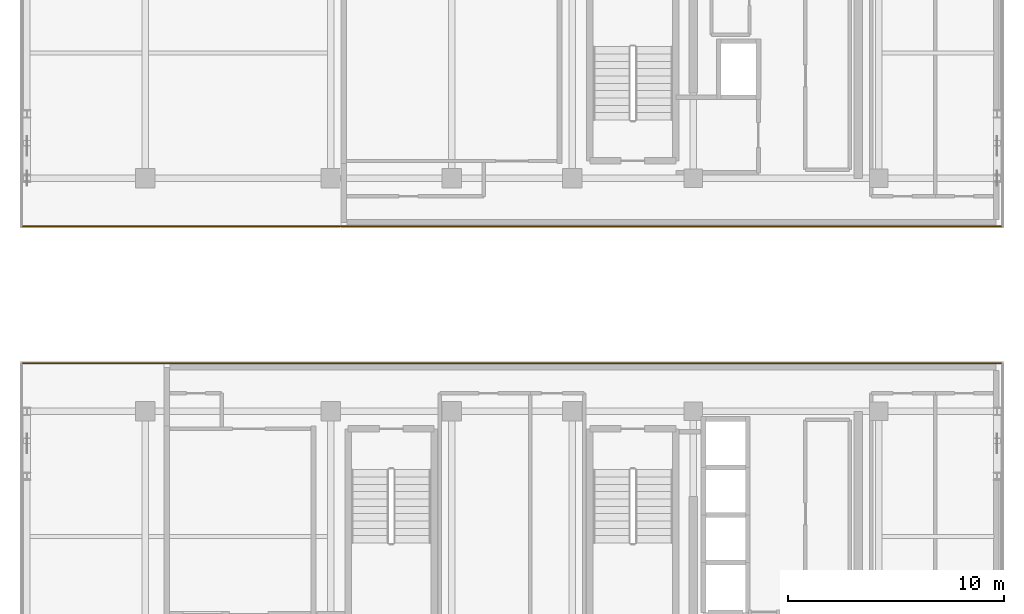
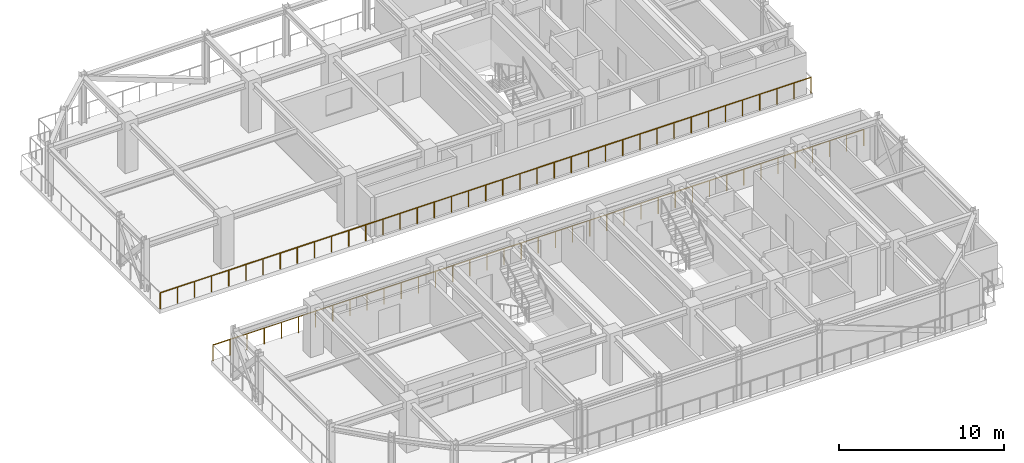
# One storey, part 11 of 14: 2 railings.
"""IFC4 building model written with IfcOpenShell, lengths in metres."""

from ifc_helpers import new_model, si_unit, direction, frame, origin, origin_2d, place, context, subcontext, project, spatial, circle, extrude, material, type_object, element, save


model = new_model("IFC4")

# Units and contexts
model_context = context("Model", 3, precision=1e-05, world=origin(), true_north=direction((0.0, 1.0)))
body_context = subcontext(model_context, "Body", "Model", "MODEL_VIEW")
ifc_project = project(units=[si_unit("LENGTHUNIT", "METRE"), si_unit("AREAUNIT", "SQUARE_METRE"), si_unit("VOLUMEUNIT", "CUBIC_METRE"), si_unit("PLANEANGLEUNIT", "RADIAN"), si_unit("MASSUNIT", "GRAM", prefix="KILO")], contexts=[model_context])

# Site, building, storey
site_placement = place(None, origin())
site = spatial("IfcSite", under=ifc_project, at=site_placement, CompositionType="ELEMENT")
building_placement = place(site_placement, origin())
building = spatial("IfcBuilding", under=site, at=building_placement, Name="Nahalor Promenade Grand Hotel", CompositionType="ELEMENT")
storey_placement = place(building_placement, frame((0.0, 0.0, 296.5)))
storey = spatial("IfcBuildingStorey", under=building, at=storey_placement, Name="L76", CompositionType="ELEMENT", Elevation=296.5)

# Railings
ifc_material = material(Name="Anodised Bronze Aluminium EN AW-6063 T6", Category="aluminium")
railing_type = type_object("IfcRailingType", Name="Bronze Balcony Guardrail 1200 mm", PredefinedType="GUARDRAIL", material=ifc_material)
railing_1_placement = place(storey_placement, frame((22.719970703125, -3.179931640625, 0.0)))
element("IfcRailing", 1, at=railing_1_placement, inside=storey, type_object=railing_type, Name="L76 Edge Guardrail RL-L76-WP-S-7", PredefinedType="GUARDRAIL", context=body_context, shape_type="SweptSolid", body=[
    extrude(circle(Radius=0.024048, at=origin_2d()), frame((0.0, 0.0, 1.17578125), z_axis=(-1.0, 0.0, 0.0), x_axis=(0.0, -1.0, 0.0)), (0.0, 0.0, 1.0), 45.43994140625),
    extrude(circle(Radius=0.020996, at=origin_2d()), origin(), (0.0, 0.0, 1.0), 1.14990234375),
    extrude(circle(Radius=0.020996, at=origin_2d()), frame((-1.19580078125, 0.0, 0.0)), (0.0, 0.0, 1.0), 1.14990234375),
    extrude(circle(Radius=0.020996, at=origin_2d()), frame((-2.3916015625, 0.0, 0.0)), (0.0, 0.0, 1.0), 1.14990234375),
    extrude(circle(Radius=0.020996, at=origin_2d()), frame((-3.58740234375, 0.0, 0.0)), (0.0, 0.0, 1.0), 1.14990234375),
    extrude(circle(Radius=0.020996, at=origin_2d()), frame((-4.783203125, 0.0, 0.0)), (0.0, 0.0, 1.0), 1.14990234375),
    extrude(circle(Radius=0.020996, at=origin_2d()), frame((-5.97900390625, 0.0, 0.0)), (0.0, 0.0, 1.0), 1.14990234375),
    extrude(circle(Radius=0.020996, at=origin_2d()), frame((-7.1748046875, 0.0, 0.0)), (0.0, 0.0, 1.0), 1.14990234375),
    extrude(circle(Radius=0.020996, at=origin_2d()), frame((-8.37060546875, 0.0, 0.0)), (0.0, 0.0, 1.0), 1.14990234375),
    extrude(circle(Radius=0.020996, at=origin_2d()), frame((-9.56640625, 0.0, 0.0)), (0.0, 0.0, 1.0), 1.14990234375),
    extrude(circle(Radius=0.020996, at=origin_2d()), frame((-10.76220703125, 0.0, 0.0)), (0.0, 0.0, 1.0), 1.14990234375),
    extrude(circle(Radius=0.020996, at=origin_2d()), frame((-11.957763671875, 0.0, 0.0)), (0.0, 0.0, 1.0), 1.14990234375),
    extrude(circle(Radius=0.020996, at=origin_2d()), frame((-13.153564453125, 0.0, 0.0)), (0.0, 0.0, 1.0), 1.14990234375),
    extrude(circle(Radius=0.020996, at=origin_2d()), frame((-14.349365234375, 0.0, 0.0)), (0.0, 0.0, 1.0), 1.14990234375),
    extrude(circle(Radius=0.020996, at=origin_2d()), frame((-15.545166015625, 0.0, 0.0)), (0.0, 0.0, 1.0), 1.14990234375),
    extrude(circle(Radius=0.020996, at=origin_2d()), frame((-16.740966796875, 0.0, 0.0)), (0.0, 0.0, 1.0), 1.14990234375),
    extrude(circle(Radius=0.020996, at=origin_2d()), frame((-17.936767578125, 0.0, 0.0)), (0.0, 0.0, 1.0), 1.14990234375),
    extrude(circle(Radius=0.020996, at=origin_2d()), frame((-19.132568359375, 0.0, 0.0)), (0.0, 0.0, 1.0), 1.14990234375),
    extrude(circle(Radius=0.020996, at=origin_2d()), frame((-20.328369140625, 0.0, 0.0)), (0.0, 0.0, 1.0), 1.14990234375),
    extrude(circle(Radius=0.020996, at=origin_2d()), frame((-21.524169921875, 0.0, 0.0)), (0.0, 0.0, 1.0), 1.14990234375),
    extrude(circle(Radius=0.020996, at=origin_2d()), frame((-22.719970703125, 0.0, 0.0)), (0.0, 0.0, 1.0), 1.14990234375),
    extrude(circle(Radius=0.020996, at=origin_2d()), frame((-23.915771484375, 0.0, 0.0)), (0.0, 0.0, 1.0), 1.14990234375),
    extrude(circle(Radius=0.020996, at=origin_2d()), frame((-25.111572265625, 0.0, 0.0)), (0.0, 0.0, 1.0), 1.14990234375),
    extrude(circle(Radius=0.020996, at=origin_2d()), frame((-26.307373046875, 0.0, 0.0)), (0.0, 0.0, 1.0), 1.14990234375),
    extrude(circle(Radius=0.020996, at=origin_2d()), frame((-27.503173828125, 0.0, 0.0)), (0.0, 0.0, 1.0), 1.14990234375),
    extrude(circle(Radius=0.020996, at=origin_2d()), frame((-28.698974609375, 0.0, 0.0)), (0.0, 0.0, 1.0), 1.14990234375),
    extrude(circle(Radius=0.020996, at=origin_2d()), frame((-29.894775390625, 0.0, 0.0)), (0.0, 0.0, 1.0), 1.14990234375),
    extrude(circle(Radius=0.020996, at=origin_2d()), frame((-31.090576171875, 0.0, 0.0)), (0.0, 0.0, 1.0), 1.14990234375),
    extrude(circle(Radius=0.020996, at=origin_2d()), frame((-32.286376953125, 0.0, 0.0)), (0.0, 0.0, 1.0), 1.14990234375),
    extrude(circle(Radius=0.020996, at=origin_2d()), frame((-33.482177734375, 0.0, 0.0)), (0.0, 0.0, 1.0), 1.14990234375),
    extrude(circle(Radius=0.020996, at=origin_2d()), frame((-34.677734375, 0.0, 0.0)), (0.0, 0.0, 1.0), 1.14990234375),
    extrude(circle(Radius=0.020996, at=origin_2d()), frame((-35.87353515625, 0.0, 0.0)), (0.0, 0.0, 1.0), 1.14990234375),
    extrude(circle(Radius=0.020996, at=origin_2d()), frame((-37.0693359375, 0.0, 0.0)), (0.0, 0.0, 1.0), 1.14990234375),
    extrude(circle(Radius=0.020996, at=origin_2d()), frame((-38.26513671875, 0.0, 0.0)), (0.0, 0.0, 1.0), 1.14990234375),
    extrude(circle(Radius=0.020996, at=origin_2d()), frame((-39.4609375, 0.0, 0.0)), (0.0, 0.0, 1.0), 1.14990234375),
    extrude(circle(Radius=0.020996, at=origin_2d()), frame((-40.65673828125, 0.0, 0.0)), (0.0, 0.0, 1.0), 1.14990234375),
    extrude(circle(Radius=0.020996, at=origin_2d()), frame((-41.8525390625, 0.0, 0.0)), (0.0, 0.0, 1.0), 1.14990234375),
    extrude(circle(Radius=0.020996, at=origin_2d()), frame((-43.04833984375, 0.0, 0.0)), (0.0, 0.0, 1.0), 1.14990234375),
    extrude(circle(Radius=0.020996, at=origin_2d()), frame((-44.244140625, 0.0, 0.0)), (0.0, 0.0, 1.0), 1.14990234375),
    extrude(circle(Radius=0.020996, at=origin_2d()), frame((-45.43994140625, 0.0, 0.0)), (0.0, 0.0, 1.0), 1.14990234375),
])
railing_2_placement = place(storey_placement, frame((-22.719970703125, 3.179931640625, 0.0)))
element("IfcRailing", 2, at=railing_2_placement, inside=storey, type_object=railing_type, Name="L76 Edge Guardrail RL-L76-WP-N-1", PredefinedType="GUARDRAIL", context=body_context, shape_type="SweptSolid", body=[
    extrude(circle(Radius=0.024048, at=origin_2d()), frame((0.0, 0.0, 1.17578125), z_axis=(1.0, 0.0, 0.0), x_axis=(0.0, 1.0, 0.0)), (0.0, 0.0, 1.0), 45.43994140625),
    extrude(circle(Radius=0.020996, at=origin_2d()), origin(), (0.0, 0.0, 1.0), 1.14990234375),
    extrude(circle(Radius=0.020996, at=origin_2d()), frame((1.19580078125, 0.0, 0.0)), (0.0, 0.0, 1.0), 1.14990234375),
    extrude(circle(Radius=0.020996, at=origin_2d()), frame((2.3916015625, 0.0, 0.0)), (0.0, 0.0, 1.0), 1.14990234375),
    extrude(circle(Radius=0.020996, at=origin_2d()), frame((3.58740234375, 0.0, 0.0)), (0.0, 0.0, 1.0), 1.14990234375),
    extrude(circle(Radius=0.020996, at=origin_2d()), frame((4.783203125, 0.0, 0.0)), (0.0, 0.0, 1.0), 1.14990234375),
    extrude(circle(Radius=0.020996, at=origin_2d()), frame((5.97900390625, 0.0, 0.0)), (0.0, 0.0, 1.0), 1.14990234375),
    extrude(circle(Radius=0.020996, at=origin_2d()), frame((7.1748046875, 0.0, 0.0)), (0.0, 0.0, 1.0), 1.14990234375),
    extrude(circle(Radius=0.020996, at=origin_2d()), frame((8.37060546875, 0.0, 0.0)), (0.0, 0.0, 1.0), 1.14990234375),
    extrude(circle(Radius=0.020996, at=origin_2d()), frame((9.56640625, 0.0, 0.0)), (0.0, 0.0, 1.0), 1.14990234375),
    extrude(circle(Radius=0.020996, at=origin_2d()), frame((10.76220703125, 0.0, 0.0)), (0.0, 0.0, 1.0), 1.14990234375),
    extrude(circle(Radius=0.020996, at=origin_2d()), frame((11.957763671875, 0.0, 0.0)), (0.0, 0.0, 1.0), 1.14990234375),
    extrude(circle(Radius=0.020996, at=origin_2d()), frame((13.153564453125, 0.0, 0.0)), (0.0, 0.0, 1.0), 1.14990234375),
    extrude(circle(Radius=0.020996, at=origin_2d()), frame((14.349365234375, 0.0, 0.0)), (0.0, 0.0, 1.0), 1.14990234375),
    extrude(circle(Radius=0.020996, at=origin_2d()), frame((15.545166015625, 0.0, 0.0)), (0.0, 0.0, 1.0), 1.14990234375),
    extrude(circle(Radius=0.020996, at=origin_2d()), frame((16.740966796875, 0.0, 0.0)), (0.0, 0.0, 1.0), 1.14990234375),
    extrude(circle(Radius=0.020996, at=origin_2d()), frame((17.936767578125, 0.0, 0.0)), (0.0, 0.0, 1.0), 1.14990234375),
    extrude(circle(Radius=0.020996, at=origin_2d()), frame((19.132568359375, 0.0, 0.0)), (0.0, 0.0, 1.0), 1.14990234375),
    extrude(circle(Radius=0.020996, at=origin_2d()), frame((20.328369140625, 0.0, 0.0)), (0.0, 0.0, 1.0), 1.14990234375),
    extrude(circle(Radius=0.020996, at=origin_2d()), frame((21.524169921875, 0.0, 0.0)), (0.0, 0.0, 1.0), 1.14990234375),
    extrude(circle(Radius=0.020996, at=origin_2d()), frame((22.719970703125, 0.0, 0.0)), (0.0, 0.0, 1.0), 1.14990234375),
    extrude(circle(Radius=0.020996, at=origin_2d()), frame((23.915771484375, 0.0, 0.0)), (0.0, 0.0, 1.0), 1.14990234375),
    extrude(circle(Radius=0.020996, at=origin_2d()), frame((25.111572265625, 0.0, 0.0)), (0.0, 0.0, 1.0), 1.14990234375),
    extrude(circle(Radius=0.020996, at=origin_2d()), frame((26.307373046875, 0.0, 0.0)), (0.0, 0.0, 1.0), 1.14990234375),
    extrude(circle(Radius=0.020996, at=origin_2d()), frame((27.503173828125, 0.0, 0.0)), (0.0, 0.0, 1.0), 1.14990234375),
    extrude(circle(Radius=0.020996, at=origin_2d()), frame((28.698974609375, 0.0, 0.0)), (0.0, 0.0, 1.0), 1.14990234375),
    extrude(circle(Radius=0.020996, at=origin_2d()), frame((29.894775390625, 0.0, 0.0)), (0.0, 0.0, 1.0), 1.14990234375),
    extrude(circle(Radius=0.020996, at=origin_2d()), frame((31.090576171875, 0.0, 0.0)), (0.0, 0.0, 1.0), 1.14990234375),
    extrude(circle(Radius=0.020996, at=origin_2d()), frame((32.286376953125, 0.0, 0.0)), (0.0, 0.0, 1.0), 1.14990234375),
    extrude(circle(Radius=0.020996, at=origin_2d()), frame((33.482177734375, 0.0, 0.0)), (0.0, 0.0, 1.0), 1.14990234375),
    extrude(circle(Radius=0.020996, at=origin_2d()), frame((34.677734375, 0.0, 0.0)), (0.0, 0.0, 1.0), 1.14990234375),
    extrude(circle(Radius=0.020996, at=origin_2d()), frame((35.87353515625, 0.0, 0.0)), (0.0, 0.0, 1.0), 1.14990234375),
    extrude(circle(Radius=0.020996, at=origin_2d()), frame((37.0693359375, 0.0, 0.0)), (0.0, 0.0, 1.0), 1.14990234375),
    extrude(circle(Radius=0.020996, at=origin_2d()), frame((38.26513671875, 0.0, 0.0)), (0.0, 0.0, 1.0), 1.14990234375),
    extrude(circle(Radius=0.020996, at=origin_2d()), frame((39.4609375, 0.0, 0.0)), (0.0, 0.0, 1.0), 1.14990234375),
    extrude(circle(Radius=0.020996, at=origin_2d()), frame((40.65673828125, 0.0, 0.0)), (0.0, 0.0, 1.0), 1.14990234375),
    extrude(circle(Radius=0.020996, at=origin_2d()), frame((41.8525390625, 0.0, 0.0)), (0.0, 0.0, 1.0), 1.14990234375),
    extrude(circle(Radius=0.020996, at=origin_2d()), frame((43.04833984375, 0.0, 0.0)), (0.0, 0.0, 1.0), 1.14990234375),
    extrude(circle(Radius=0.020996, at=origin_2d()), frame((44.244140625, 0.0, 0.0)), (0.0, 0.0, 1.0), 1.14990234375),
    extrude(circle(Radius=0.020996, at=origin_2d()), frame((45.43994140625, 0.0, 0.0)), (0.0, 0.0, 1.0), 1.14990234375),
])

save(model, "model.ifc")
